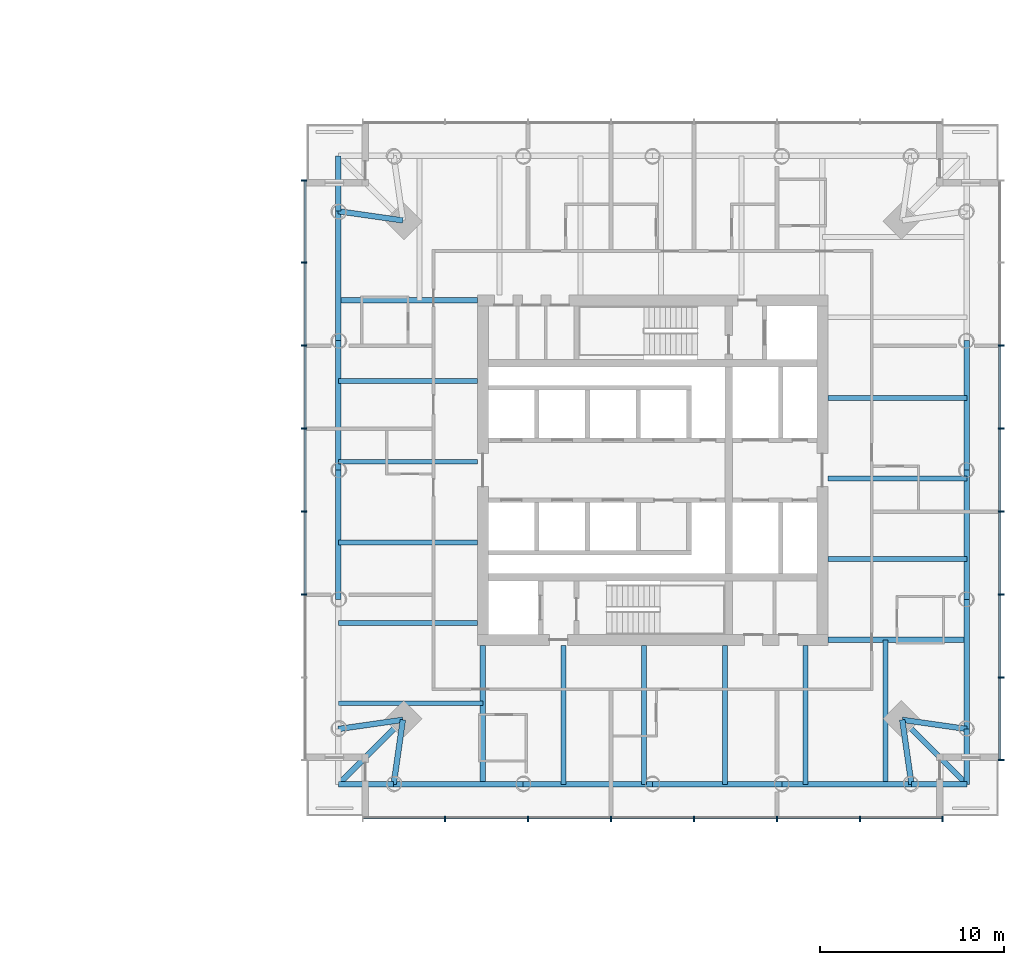
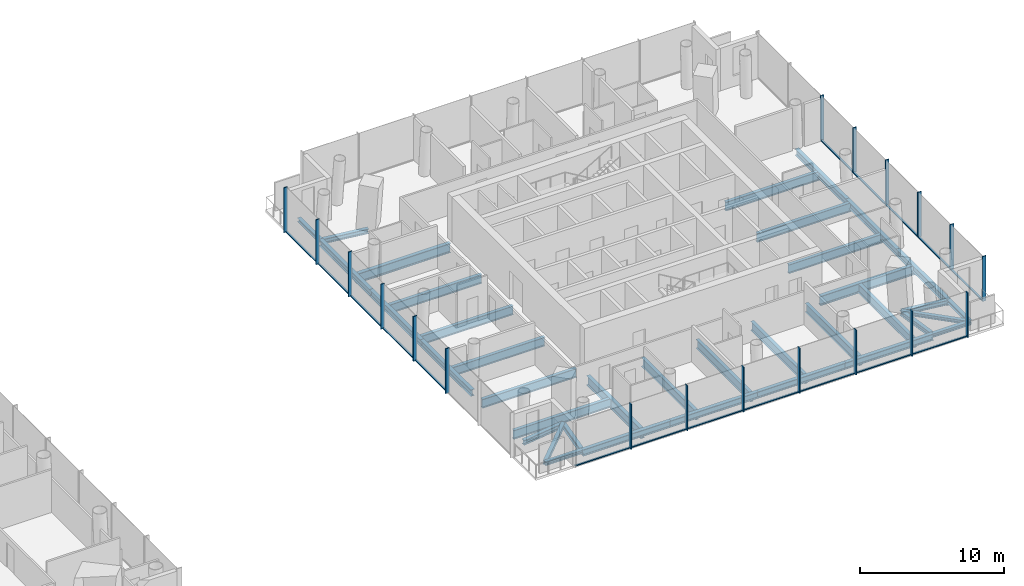
# One storey, part 5 of 26: 37 beams, 36 members, 3 elements without a shape of their own.
"""IFC4 building model written with IfcOpenShell, lengths in metres."""

from ifc_helpers import new_model, si_unit, direction, frame, origin, origin_2d, place, context, subcontext, project, spatial, rectangle, i_section, extrude, material, material_profile, profile_set, type_object, element, aggregate, save


model = new_model("IFC4")

# Units and contexts
model_context = context("Model", 3, precision=1e-05, world=origin(), true_north=direction((0.0, 1.0)))
body_context = subcontext(model_context, "Body", "Model", "MODEL_VIEW")
ifc_project = project(units=[si_unit("LENGTHUNIT", "METRE"), si_unit("AREAUNIT", "SQUARE_METRE"), si_unit("VOLUMEUNIT", "CUBIC_METRE"), si_unit("PLANEANGLEUNIT", "RADIAN"), si_unit("MASSUNIT", "GRAM", prefix="KILO")], contexts=[model_context])

# Site, building, storey
site_placement = place(None, origin())
site = spatial("IfcSite", under=ifc_project, at=site_placement, CompositionType="ELEMENT")
building_placement = place(site_placement, origin())
building = spatial("IfcBuilding", under=site, at=building_placement, Name="Ostroluk Exchange", CompositionType="ELEMENT")
storey_placement = place(building_placement, frame((0.0, 0.0, 66.60009765625)))
storey = spatial("IfcBuildingStorey", under=building, at=storey_placement, Name="L16", CompositionType="ELEMENT", Elevation=66.60009765625)

# Beams
ifc_material_1 = material(Name="Steel S355", Category="steel")
ifc_material_profile_1 = material_profile(ifc_material_1, i_section(OverallWidth=0.300048828125, OverallDepth=0.300048828125, WebThickness=0.010986328125, FlangeThickness=0.01904296875, FilletRadius=0.027099609375, at=origin_2d()), Name="HEB 300")
ifc_profile_set_1 = profile_set([ifc_material_profile_1], Name="Steel S355")
beam_type_1 = type_object("IfcBeamType", Name="Balcony beam HEB 300", PredefinedType="BEAM", material=ifc_profile_set_1)
for number, where, z_axis, x_axis, name in (
    (1, (99.965576171875, 60.034423828125, -0.35009765625), (0.0, 1.0, 0.0), (-1.0, 0.0, 0.0), "T2 north balcony beam b"),
    (2, (102.965576171875, 28.965576171875, -0.35009765625), (-1.0, 0.0, 0.0), (0.0, -1.0, 0.0), "T2 west balcony beam b"),
):
    element("IfcBeam", number, at=place(storey_placement, frame(where, z_axis=z_axis, x_axis=x_axis)), inside=storey, type_object=beam_type_1, Name=name, PredefinedType="BEAM", context=body_context, shape_type="SweptSolid", body=[
        extrude(i_section(OverallWidth=0.300048828125, OverallDepth=0.300048828125, WebThickness=0.010986328125, FlangeThickness=0.01904296875, FilletRadius=0.027099609375, at=origin_2d()), origin(), (0.0, 0.0, 1.0), 3.0),
    ])
beam_1_placement = place(storey_placement, frame((103.465576171875, 32.465576171875, -0.35009765625), z_axis=(-0.707106781187, -0.707106781187, 0.0), x_axis=(0.707106781187, -0.707106781187, 0.0)))
element("IfcBeam", 3, at=beam_1_placement, inside=storey, type_object=beam_type_1, Name="T2 west balcony beam c", PredefinedType="BEAM", context=body_context, shape_type="SweptSolid", body=[
    extrude(i_section(OverallWidth=0.300048828125, OverallDepth=0.300048828125, WebThickness=0.010986328125, FlangeThickness=0.01904296875, FilletRadius=0.027099609375, at=origin_2d()), origin(), (0.0, 0.0, 1.0), 4.94970703125),
])
for number, where, z_axis, x_axis, name in (
    (4, (131.034423828125, 28.965576171875, -0.35009765625), (1.0, 0.0, 0.0), (0.0, 1.0, 0.0), "T2 south balcony beam a"),
    (5, (134.034423828125, 31.965576171875, -0.35009765625), (0.0, -1.0, 0.0), (1.0, 0.0, 0.0), "T2 south balcony beam b"),
):
    element("IfcBeam", number, at=place(storey_placement, frame(where, z_axis=z_axis, x_axis=x_axis)), inside=storey, type_object=beam_type_1, Name=name, PredefinedType="BEAM", context=body_context, shape_type="SweptSolid", body=[
        extrude(i_section(OverallWidth=0.300048828125, OverallDepth=0.300048828125, WebThickness=0.010986328125, FlangeThickness=0.01904296875, FilletRadius=0.027099609375, at=origin_2d()), origin(), (0.0, 0.0, 1.0), 3.0),
    ])
beam_2_placement = place(storey_placement, frame((130.534423828125, 32.465576171875, -0.35009765625), z_axis=(0.707106781187, -0.707106781187, 0.0), x_axis=(0.707106781187, 0.707106781187, 0.0)))
element("IfcBeam", 6, at=beam_2_placement, inside=storey, type_object=beam_type_1, Name="T2 south balcony beam c", PredefinedType="BEAM", context=body_context, shape_type="SweptSolid", body=[
    extrude(i_section(OverallWidth=0.300048828125, OverallDepth=0.300048828125, WebThickness=0.010986328125, FlangeThickness=0.01904296875, FilletRadius=0.027099609375, at=origin_2d()), origin(), (0.0, 0.0, 1.0), 4.94970703125),
])
ifc_material_2 = material(Name="Steel S355", Category="steel")
ifc_material_profile_2 = material_profile(ifc_material_2, i_section(OverallWidth=0.300048828125, OverallDepth=0.39990234375, WebThickness=0.013427734375, FlangeThickness=0.02392578125, FilletRadius=0.027099609375, at=origin_2d()), Name="HEB 400")
ifc_profile_set_2 = profile_set([ifc_material_profile_2], Name="Steel S355")
beam_type_2 = type_object("IfcBeamType", Name="Corner edge beam HEB 400", PredefinedType="SPANDREL", material=ifc_profile_set_2)
for number, where, z_axis, x_axis, name in (
    (7, (103.465576171875, 59.534423828125, -0.400146484375), (-0.989949493661, 0.141421356237, 0.0), (-0.141421356237, -0.989949493661, 0.0), "T2 north corner edge beam b"),
    (8, (103.465576171875, 32.465576171875, -0.400146484375), (-0.989949493661, -0.141421356237, 0.0), (0.141421356237, -0.989949493661, 0.0), "T2 west corner edge beam a"),
    (9, (103.465576171875, 32.465576171875, -0.400146484375), (-0.141421356237, -0.989949493661, 0.0), (0.989949493661, -0.141421356237, 0.0), "T2 west corner edge beam b"),
    (10, (130.534423828125, 32.465576171875, -0.400146484375), (0.141421356237, -0.989949493661, 0.0), (0.989949493661, 0.141421356237, 0.0), "T2 south corner edge beam a"),
    (11, (130.534423828125, 32.465576171875, -0.400146484375), (0.989949493661, -0.141421356237, 0.0), (0.141421356237, 0.989949493661, 0.0), "T2 south corner edge beam b"),
):
    element("IfcBeam", number, at=place(storey_placement, frame(where, z_axis=z_axis, x_axis=x_axis)), inside=storey, type_object=beam_type_2, Name=name, PredefinedType="SPANDREL", context=body_context, shape_type="SweptSolid", body=[
        extrude(i_section(OverallWidth=0.300048828125, OverallDepth=0.39990234375, WebThickness=0.013427734375, FlangeThickness=0.02392578125, FilletRadius=0.027099609375, at=origin_2d()), origin(), (0.0, 0.0, 1.0), 3.53564453125),
    ])
ifc_material_3 = material(Name="Steel S355", Category="steel")
ifc_material_profile_3 = material_profile(ifc_material_3, i_section(OverallWidth=0.264892578125, OverallDepth=0.7529296875, WebThickness=0.01318359375, FlangeThickness=0.01708984375, FilletRadius=0.01708984375, at=origin_2d()), Name="IPE 750x147")
ifc_profile_set_3 = profile_set([ifc_material_profile_3], Name="Steel S355")
beam_type_3 = type_object("IfcBeamType", Name="Floor beam IPE 750x147", PredefinedType="BEAM", material=ifc_profile_set_3)
for number, where, z_axis, x_axis, name in (
    (12, (126.5, 41.17236328125, -0.57666015625), (1.0, 0.0, 0.0), (0.0, 1.0, 0.0), "T2 east floor beam 1"),
    (13, (126.5, 45.544921875, -0.57666015625), (1.0, 0.0, 0.0), (0.0, 1.0, 0.0), "T2 east floor beam 2"),
    (14, (126.5, 49.917236328125, -0.57666015625), (1.0, 0.0, 0.0), (0.0, 1.0, 0.0), "T2 east floor beam 3"),
    (15, (107.5, 50.82763671875, -0.57666015625), (-1.0, 0.0, 0.0), (0.0, -1.0, 0.0), "T2 west floor beam 1"),
    (16, (107.5, 46.455078125, -0.57666015625), (-1.0, 0.0, 0.0), (0.0, -1.0, 0.0), "T2 west floor beam 2"),
    (17, (107.5, 42.082763671875, -0.57666015625), (-1.0, 0.0, 0.0), (0.0, -1.0, 0.0), "T2 west floor beam 3"),
    (18, (107.5, 37.71044921875, -0.57666015625), (-1.0, 0.0, 0.0), (0.0, -1.0, 0.0), "T2 west floor beam 4"),
):
    element("IfcBeam", number, at=place(storey_placement, frame(where, z_axis=z_axis, x_axis=x_axis)), inside=storey, type_object=beam_type_3, Name=name, PredefinedType="BEAM", context=body_context, shape_type="SweptSolid", body=[
        extrude(i_section(OverallWidth=0.264892578125, OverallDepth=0.7529296875, WebThickness=0.01318359375, FlangeThickness=0.01708984375, FilletRadius=0.01708984375, at=origin_2d()), origin(), (0.0, 0.0, 1.0), 7.534423828125),
    ])
beam_3_placement = place(storey_placement, frame((107.800048828125, 33.365478515625, -0.57666015625), z_axis=(-1.0, 0.0, 0.0), x_axis=(0.0, -1.0, 0.0)))
element("IfcBeam", 19, at=beam_3_placement, inside=storey, type_object=beam_type_3, Name="T2 west floor beam 5", PredefinedType="BEAM", context=body_context, shape_type="SweptSolid", body=[
    extrude(i_section(OverallWidth=0.264892578125, OverallDepth=0.7529296875, WebThickness=0.01318359375, FlangeThickness=0.01708984375, FilletRadius=0.01708984375, at=origin_2d()), origin(), (0.0, 0.0, 1.0), 7.83447265625),
])
for number, where, z_axis, x_axis, name in (
    (20, (112.17236328125, 36.5, -0.57666015625), (0.0, -1.0, 0.0), (1.0, 0.0, 0.0), "T2 south floor beam 1"),
    (21, (116.544921875, 36.5, -0.57666015625), (0.0, -1.0, 0.0), (1.0, 0.0, 0.0), "T2 south floor beam 2"),
    (22, (120.917236328125, 36.5, -0.57666015625), (0.0, -1.0, 0.0), (1.0, 0.0, 0.0), "T2 south floor beam 3"),
    (23, (125.28955078125, 36.5, -0.57666015625), (0.0, -1.0, 0.0), (1.0, 0.0, 0.0), "T2 south floor beam 4"),
):
    element("IfcBeam", number, at=place(storey_placement, frame(where, z_axis=z_axis, x_axis=x_axis)), inside=storey, type_object=beam_type_3, Name=name, PredefinedType="BEAM", context=body_context, shape_type="SweptSolid", body=[
        extrude(i_section(OverallWidth=0.264892578125, OverallDepth=0.7529296875, WebThickness=0.01318359375, FlangeThickness=0.01708984375, FilletRadius=0.01708984375, at=origin_2d()), origin(), (0.0, 0.0, 1.0), 7.534423828125),
    ])
beam_4_placement = place(storey_placement, frame((129.634521484375, 36.800048828125, -0.57666015625), z_axis=(0.0, -1.0, 0.0), x_axis=(1.0, 0.0, 0.0)))
element("IfcBeam", 24, at=beam_4_placement, inside=storey, type_object=beam_type_3, Name="T2 south floor beam 5", PredefinedType="BEAM", context=body_context, shape_type="SweptSolid", body=[
    extrude(i_section(OverallWidth=0.264892578125, OverallDepth=0.7529296875, WebThickness=0.01318359375, FlangeThickness=0.01708984375, FilletRadius=0.01708984375, at=origin_2d()), origin(), (0.0, 0.0, 1.0), 7.83447265625),
])
ifc_material_4 = material(Name="Steel S355", Category="steel")
ifc_material_profile_4 = material_profile(ifc_material_4, i_section(OverallWidth=0.300048828125, OverallDepth=0.800048828125, WebThickness=0.017578125, FlangeThickness=0.032958984375, FilletRadius=0.030029296875, at=origin_2d()), Name="HEB 800")
ifc_profile_set_4 = profile_set([ifc_material_profile_4], Name="Steel S355")
beam_type_4 = type_object("IfcBeamType", Name="Girder HEB 800", PredefinedType="BEAM", material=ifc_profile_set_4)
for number, where, z_axis, x_axis, name in (
    (25, (107.5, 55.199951171875, -0.60009765625), (-1.0, 0.0, 0.0), (0.0, -1.0, 0.0), "T2 north girder"),
    (26, (107.800048828125, 36.5, -0.60009765625), (0.0, -1.0, 0.0), (1.0, 0.0, 0.0), "T2 west girder"),
    (27, (126.5, 36.800048828125, -0.60009765625), (1.0, 0.0, 0.0), (0.0, 1.0, 0.0), "T2 south girder"),
):
    element("IfcBeam", number, at=place(storey_placement, frame(where, z_axis=z_axis, x_axis=x_axis)), inside=storey, type_object=beam_type_4, Name=name, PredefinedType="BEAM", context=body_context, shape_type="SweptSolid", body=[
        extrude(i_section(OverallWidth=0.300048828125, OverallDepth=0.800048828125, WebThickness=0.017578125, FlangeThickness=0.032958984375, FilletRadius=0.030029296875, at=origin_2d()), origin(), (0.0, 0.0, 1.0), 7.534423828125),
    ])
ifc_material_5 = material(Name="Steel S355", Category="steel")
ifc_material_profile_5 = material_profile(ifc_material_5, i_section(OverallWidth=0.300048828125, OverallDepth=0.550048828125, WebThickness=0.014892578125, FlangeThickness=0.029052734375, FilletRadius=0.027099609375, at=origin_2d()), Name="HEB 550")
ifc_profile_set_5 = profile_set([ifc_material_profile_5], Name="Steel S355")
beam_type_5 = type_object("IfcBeamType", Name="Moment-connected edge beam HEB 550", PredefinedType="SPANDREL", material=ifc_profile_set_5)
beam_5_placement = place(storey_placement, frame((134.034423828125, 31.965576171875, -0.47509765625), z_axis=(0.0, 1.0, 0.0), x_axis=(-1.0, 0.0, 0.0)))
element("IfcBeam", 28, at=beam_5_placement, inside=storey, type_object=beam_type_5, Name="T2 east edge beam 1", PredefinedType="SPANDREL", context=body_context, shape_type="SweptSolid", body=[
    extrude(i_section(OverallWidth=0.300048828125, OverallDepth=0.550048828125, WebThickness=0.014892578125, FlangeThickness=0.029052734375, FilletRadius=0.027099609375, at=origin_2d()), origin(), (0.0, 0.0, 1.0), 7.01708984375),
])
for number, where, z_axis, x_axis, name in (
    (29, (134.034423828125, 38.982666015625, -0.47509765625), (0.0, 1.0, 0.0), (-1.0, 0.0, 0.0), "T2 east edge beam 2"),
    (30, (134.034423828125, 46.0, -0.47509765625), (0.0, 1.0, 0.0), (-1.0, 0.0, 0.0), "T2 east edge beam 3"),
):
    element("IfcBeam", number, at=place(storey_placement, frame(where, z_axis=z_axis, x_axis=x_axis)), inside=storey, type_object=beam_type_5, Name=name, PredefinedType="SPANDREL", context=body_context, shape_type="SweptSolid", body=[
        extrude(i_section(OverallWidth=0.300048828125, OverallDepth=0.550048828125, WebThickness=0.014892578125, FlangeThickness=0.029052734375, FilletRadius=0.027099609375, at=origin_2d()), origin(), (0.0, 0.0, 1.0), 7.017333984375),
    ])
beam_6_placement = place(storey_placement, frame((99.965576171875, 60.034423828125, -0.47509765625), z_axis=(0.0, -1.0, 0.0), x_axis=(1.0, 0.0, 0.0)))
element("IfcBeam", 31, at=beam_6_placement, inside=storey, type_object=beam_type_5, Name="T2 west edge beam 1", PredefinedType="SPANDREL", context=body_context, shape_type="SweptSolid", body=[
    extrude(i_section(OverallWidth=0.300048828125, OverallDepth=0.550048828125, WebThickness=0.014892578125, FlangeThickness=0.029052734375, FilletRadius=0.027099609375, at=origin_2d()), origin(), (0.0, 0.0, 1.0), 7.01708984375),
])
for number, where, z_axis, x_axis, name in (
    (32, (99.965576171875, 53.017333984375, -0.47509765625), (0.0, -1.0, 0.0), (1.0, 0.0, 0.0), "T2 west edge beam 2"),
    (33, (99.965576171875, 46.0, -0.47509765625), (0.0, -1.0, 0.0), (1.0, 0.0, 0.0), "T2 west edge beam 3"),
):
    element("IfcBeam", number, at=place(storey_placement, frame(where, z_axis=z_axis, x_axis=x_axis)), inside=storey, type_object=beam_type_5, Name=name, PredefinedType="SPANDREL", context=body_context, shape_type="SweptSolid", body=[
        extrude(i_section(OverallWidth=0.300048828125, OverallDepth=0.550048828125, WebThickness=0.014892578125, FlangeThickness=0.029052734375, FilletRadius=0.027099609375, at=origin_2d()), origin(), (0.0, 0.0, 1.0), 7.017333984375),
    ])
beam_7_placement = place(storey_placement, frame((102.965576171875, 28.965576171875, -0.47509765625), z_axis=(1.0, 0.0, 0.0), x_axis=(0.0, 1.0, 0.0)))
element("IfcBeam", 34, at=beam_7_placement, inside=storey, type_object=beam_type_5, Name="T2 south edge beam 1", PredefinedType="SPANDREL", context=body_context, shape_type="SweptSolid", body=[
    extrude(i_section(OverallWidth=0.300048828125, OverallDepth=0.550048828125, WebThickness=0.014892578125, FlangeThickness=0.029052734375, FilletRadius=0.027099609375, at=origin_2d()), origin(), (0.0, 0.0, 1.0), 7.01708984375),
])
for number, where, z_axis, x_axis, name in (
    (35, (109.982666015625, 28.965576171875, -0.47509765625), (1.0, 0.0, 0.0), (0.0, 1.0, 0.0), "T2 south edge beam 2"),
    (36, (117.0, 28.965576171875, -0.47509765625), (1.0, 0.0, 0.0), (0.0, 1.0, 0.0), "T2 south edge beam 3"),
):
    element("IfcBeam", number, at=place(storey_placement, frame(where, z_axis=z_axis, x_axis=x_axis)), inside=storey, type_object=beam_type_5, Name=name, PredefinedType="SPANDREL", context=body_context, shape_type="SweptSolid", body=[
        extrude(i_section(OverallWidth=0.300048828125, OverallDepth=0.550048828125, WebThickness=0.014892578125, FlangeThickness=0.029052734375, FilletRadius=0.027099609375, at=origin_2d()), origin(), (0.0, 0.0, 1.0), 7.017333984375),
    ])
beam_8_placement = place(storey_placement, frame((124.017333984375, 28.965576171875, -0.47509765625), z_axis=(1.0, 0.0, 0.0), x_axis=(0.0, 1.0, 0.0)))
element("IfcBeam", 37, at=beam_8_placement, inside=storey, type_object=beam_type_5, Name="T2 south edge beam 4", PredefinedType="SPANDREL", context=body_context, shape_type="SweptSolid", body=[
    extrude(i_section(OverallWidth=0.300048828125, OverallDepth=0.550048828125, WebThickness=0.014892578125, FlangeThickness=0.029052734375, FilletRadius=0.027099609375, at=origin_2d()), origin(), (0.0, 0.0, 1.0), 7.01708984375),
])

# Curtain wall, members
ifc_material_6 = material(Name="Laminated clear glass", Category="glass")
curtain_wall_type = type_object("IfcCurtainWallType", Name="Hotel guest floor facade", PredefinedType="USERDEFINED", material=ifc_material_6)
curtain_wall_1_placement = place(storey_placement, origin())
curtain_wall_1 = element("IfcCurtainWall", 38, at=curtain_wall_1_placement, inside=storey, type_object=curtain_wall_type, Name="Hotel tower south facade L16", ObjectType="UNITISED CURTAIN WALL", PredefinedType="USERDEFINED")
ifc_material_7 = material(Name="Aluminium mullion", Category="aluminium")
ifc_material_profile_6 = material_profile(ifc_material_7, rectangle(XDim=0.14990234375, YDim=0.080078125, at=origin_2d()), Name="Sill transom 80 x 150")
ifc_profile_set_6 = profile_set([ifc_material_profile_6], Name="Aluminium mullion")
member_type_1 = type_object("IfcMemberType", Name="Sill transom 80 x 150", PredefinedType="USERDEFINED", material=ifc_profile_set_6)
member_1_placement = place(storey_placement, frame((101.330078125, 27.175048828125, 0.039794921875), z_axis=(1.0, 0.0, 0.0), x_axis=(0.0, 1.0, 0.0)))
member_1 = element("IfcMember", 39, at=member_1_placement, type_object=member_type_1, Name="CW-H1 transom 1.1", ObjectType="TRANSOM", PredefinedType="USERDEFINED", context=body_context, shape_type="SweptSolid", body=[
    extrude(rectangle(XDim=0.14990234375, YDim=0.080078125, at=origin_2d()), origin(), (0.0, 0.0, 1.0), 4.3798828125),
])
member_2_placement = place(storey_placement, frame((105.7900390625, 27.175048828125, 0.039794921875), z_axis=(1.0, 0.0, 0.0), x_axis=(0.0, 1.0, 0.0)))
member_2 = element("IfcMember", 40, at=member_2_placement, type_object=member_type_1, Name="CW-H1 transom 2.1", ObjectType="TRANSOM", PredefinedType="USERDEFINED", context=body_context, shape_type="SweptSolid", body=[
    extrude(rectangle(XDim=0.14990234375, YDim=0.080078125, at=origin_2d()), origin(), (0.0, 0.0, 1.0), 4.419921875),
])
member_3_placement = place(storey_placement, frame((110.2900390625, 27.175048828125, 0.039794921875), z_axis=(1.0, 0.0, 0.0), x_axis=(0.0, 1.0, 0.0)))
member_3 = element("IfcMember", 41, at=member_3_placement, type_object=member_type_1, Name="CW-H1 transom 3.1", ObjectType="TRANSOM", PredefinedType="USERDEFINED", context=body_context, shape_type="SweptSolid", body=[
    extrude(rectangle(XDim=0.14990234375, YDim=0.080078125, at=origin_2d()), origin(), (0.0, 0.0, 1.0), 4.419921875),
])
member_4_placement = place(storey_placement, frame((114.7900390625, 27.175048828125, 0.039794921875), z_axis=(1.0, 0.0, 0.0), x_axis=(0.0, 1.0, 0.0)))
member_4 = element("IfcMember", 42, at=member_4_placement, type_object=member_type_1, Name="CW-H1 transom 4.1", ObjectType="TRANSOM", PredefinedType="USERDEFINED", context=body_context, shape_type="SweptSolid", body=[
    extrude(rectangle(XDim=0.14990234375, YDim=0.080078125, at=origin_2d()), origin(), (0.0, 0.0, 1.0), 4.419921875),
])
member_5_placement = place(storey_placement, frame((119.2900390625, 27.175048828125, 0.039794921875), z_axis=(1.0, 0.0, 0.0), x_axis=(0.0, 1.0, 0.0)))
member_5 = element("IfcMember", 43, at=member_5_placement, type_object=member_type_1, Name="CW-H1 transom 5.1", ObjectType="TRANSOM", PredefinedType="USERDEFINED", context=body_context, shape_type="SweptSolid", body=[
    extrude(rectangle(XDim=0.14990234375, YDim=0.080078125, at=origin_2d()), origin(), (0.0, 0.0, 1.0), 4.419921875),
])
member_6_placement = place(storey_placement, frame((123.7900390625, 27.175048828125, 0.039794921875), z_axis=(1.0, 0.0, 0.0), x_axis=(0.0, 1.0, 0.0)))
member_6 = element("IfcMember", 44, at=member_6_placement, type_object=member_type_1, Name="CW-H1 transom 6.1", ObjectType="TRANSOM", PredefinedType="USERDEFINED", context=body_context, shape_type="SweptSolid", body=[
    extrude(rectangle(XDim=0.14990234375, YDim=0.080078125, at=origin_2d()), origin(), (0.0, 0.0, 1.0), 4.419921875),
])
member_7_placement = place(storey_placement, frame((128.2900390625, 27.175048828125, 0.039794921875), z_axis=(1.0, 0.0, 0.0), x_axis=(0.0, 1.0, 0.0)))
member_7 = element("IfcMember", 45, at=member_7_placement, type_object=member_type_1, Name="CW-H1 transom 7.1", ObjectType="TRANSOM", PredefinedType="USERDEFINED", context=body_context, shape_type="SweptSolid", body=[
    extrude(rectangle(XDim=0.14990234375, YDim=0.080078125, at=origin_2d()), origin(), (0.0, 0.0, 1.0), 4.3798828125),
])

curtain_wall_2_placement = place(storey_placement, origin())
curtain_wall_2 = element("IfcCurtainWall", 46, at=curtain_wall_2_placement, inside=storey, type_object=curtain_wall_type, Name="Hotel tower east facade L16", ObjectType="UNITISED CURTAIN WALL", PredefinedType="USERDEFINED")
member_8_placement = place(storey_placement, frame((135.824951171875, 30.330078125, 0.039794921875), z_axis=(0.0, 1.0, 0.0), x_axis=(-1.0, 0.0, 0.0)))
member_8 = element("IfcMember", 47, at=member_8_placement, type_object=member_type_1, Name="CW-H1 transom 1.1", ObjectType="TRANSOM", PredefinedType="USERDEFINED", context=body_context, shape_type="SweptSolid", body=[
    extrude(rectangle(XDim=0.14990234375, YDim=0.080078125, at=origin_2d()), origin(), (0.0, 0.0, 1.0), 4.3798828125),
])
member_9_placement = place(storey_placement, frame((135.824951171875, 34.7900390625, 0.039794921875), z_axis=(0.0, 1.0, 0.0), x_axis=(-1.0, 0.0, 0.0)))
member_9 = element("IfcMember", 48, at=member_9_placement, type_object=member_type_1, Name="CW-H1 transom 2.1", ObjectType="TRANSOM", PredefinedType="USERDEFINED", context=body_context, shape_type="SweptSolid", body=[
    extrude(rectangle(XDim=0.14990234375, YDim=0.080078125, at=origin_2d()), origin(), (0.0, 0.0, 1.0), 4.419921875),
])
member_10_placement = place(storey_placement, frame((135.824951171875, 39.2900390625, 0.039794921875), z_axis=(0.0, 1.0, 0.0), x_axis=(-1.0, 0.0, 0.0)))
member_10 = element("IfcMember", 49, at=member_10_placement, type_object=member_type_1, Name="CW-H1 transom 3.1", ObjectType="TRANSOM", PredefinedType="USERDEFINED", context=body_context, shape_type="SweptSolid", body=[
    extrude(rectangle(XDim=0.14990234375, YDim=0.080078125, at=origin_2d()), origin(), (0.0, 0.0, 1.0), 4.419921875),
])
member_11_placement = place(storey_placement, frame((135.824951171875, 43.7900390625, 0.039794921875), z_axis=(0.0, 1.0, 0.0), x_axis=(-1.0, 0.0, 0.0)))
member_11 = element("IfcMember", 50, at=member_11_placement, type_object=member_type_1, Name="CW-H1 transom 4.1", ObjectType="TRANSOM", PredefinedType="USERDEFINED", context=body_context, shape_type="SweptSolid", body=[
    extrude(rectangle(XDim=0.14990234375, YDim=0.080078125, at=origin_2d()), origin(), (0.0, 0.0, 1.0), 4.419921875),
])
member_12_placement = place(storey_placement, frame((135.824951171875, 48.2900390625, 0.039794921875), z_axis=(0.0, 1.0, 0.0), x_axis=(-1.0, 0.0, 0.0)))
member_12 = element("IfcMember", 51, at=member_12_placement, type_object=member_type_1, Name="CW-H1 transom 5.1", ObjectType="TRANSOM", PredefinedType="USERDEFINED", context=body_context, shape_type="SweptSolid", body=[
    extrude(rectangle(XDim=0.14990234375, YDim=0.080078125, at=origin_2d()), origin(), (0.0, 0.0, 1.0), 4.419921875),
])

curtain_wall_3_placement = place(storey_placement, origin())
curtain_wall_3 = element("IfcCurtainWall", 52, at=curtain_wall_3_placement, inside=storey, type_object=curtain_wall_type, Name="Hotel tower west facade L16", ObjectType="UNITISED CURTAIN WALL", PredefinedType="USERDEFINED")
member_13_placement = place(storey_placement, frame((98.175048828125, 61.669921875, 0.039794921875), z_axis=(0.0, -1.0, 0.0), x_axis=(1.0, 0.0, 0.0)))
member_13 = element("IfcMember", 53, at=member_13_placement, type_object=member_type_1, Name="CW-H1 transom 1.1", ObjectType="TRANSOM", PredefinedType="USERDEFINED", context=body_context, shape_type="SweptSolid", body=[
    extrude(rectangle(XDim=0.14990234375, YDim=0.080078125, at=origin_2d()), origin(), (0.0, 0.0, 1.0), 4.3798828125),
])
member_14_placement = place(storey_placement, frame((98.175048828125, 57.2099609375, 0.039794921875), z_axis=(0.0, -1.0, 0.0), x_axis=(1.0, 0.0, 0.0)))
member_14 = element("IfcMember", 54, at=member_14_placement, type_object=member_type_1, Name="CW-H1 transom 2.1", ObjectType="TRANSOM", PredefinedType="USERDEFINED", context=body_context, shape_type="SweptSolid", body=[
    extrude(rectangle(XDim=0.14990234375, YDim=0.080078125, at=origin_2d()), origin(), (0.0, 0.0, 1.0), 4.419921875),
])
member_15_placement = place(storey_placement, frame((98.175048828125, 52.7099609375, 0.039794921875), z_axis=(0.0, -1.0, 0.0), x_axis=(1.0, 0.0, 0.0)))
member_15 = element("IfcMember", 55, at=member_15_placement, type_object=member_type_1, Name="CW-H1 transom 3.1", ObjectType="TRANSOM", PredefinedType="USERDEFINED", context=body_context, shape_type="SweptSolid", body=[
    extrude(rectangle(XDim=0.14990234375, YDim=0.080078125, at=origin_2d()), origin(), (0.0, 0.0, 1.0), 4.419921875),
])
member_16_placement = place(storey_placement, frame((98.175048828125, 48.2099609375, 0.039794921875), z_axis=(0.0, -1.0, 0.0), x_axis=(1.0, 0.0, 0.0)))
member_16 = element("IfcMember", 56, at=member_16_placement, type_object=member_type_1, Name="CW-H1 transom 4.1", ObjectType="TRANSOM", PredefinedType="USERDEFINED", context=body_context, shape_type="SweptSolid", body=[
    extrude(rectangle(XDim=0.14990234375, YDim=0.080078125, at=origin_2d()), origin(), (0.0, 0.0, 1.0), 4.419921875),
])
member_17_placement = place(storey_placement, frame((98.175048828125, 43.7099609375, 0.039794921875), z_axis=(0.0, -1.0, 0.0), x_axis=(1.0, 0.0, 0.0)))
member_17 = element("IfcMember", 57, at=member_17_placement, type_object=member_type_1, Name="CW-H1 transom 5.1", ObjectType="TRANSOM", PredefinedType="USERDEFINED", context=body_context, shape_type="SweptSolid", body=[
    extrude(rectangle(XDim=0.14990234375, YDim=0.080078125, at=origin_2d()), origin(), (0.0, 0.0, 1.0), 4.419921875),
])

# Member
ifc_material_8 = material(Name="Aluminium mullion with limestone facing", Category="masonry")
ifc_material_profile_7 = material_profile(ifc_material_8, rectangle(XDim=0.300048828125, YDim=0.080078125, at=origin_2d()), Name="Tracery mullion 80 x 300")
ifc_profile_set_7 = profile_set([ifc_material_profile_7], Name="Aluminium mullion with limestone facing")
member_type_2 = type_object("IfcMemberType", Name="Tracery mullion 80 x 300", PredefinedType="MULLION", material=ifc_profile_set_7)
member_18_placement = place(storey_placement, frame((105.75, 27.10009765625, 0.0), z_axis=(0.0, 0.0, 1.0), x_axis=(0.0, 1.0, 0.0)))
member_18 = element("IfcMember", 58, at=member_18_placement, type_object=member_type_2, Name="CW-H1 mullion 2", PredefinedType="MULLION", context=body_context, shape_type="SweptSolid", body=[
    extrude(rectangle(XDim=0.300048828125, YDim=0.080078125, at=origin_2d()), origin(), (0.0, 0.0, 1.0), 3.7998046875),
])

member_19_placement = place(storey_placement, frame((110.25, 27.10009765625, 0.0), z_axis=(0.0, 0.0, 1.0), x_axis=(0.0, 1.0, 0.0)))
member_19 = element("IfcMember", 59, at=member_19_placement, type_object=member_type_2, Name="CW-H1 mullion 3", PredefinedType="MULLION", context=body_context, shape_type="SweptSolid", body=[
    extrude(rectangle(XDim=0.300048828125, YDim=0.080078125, at=origin_2d()), origin(), (0.0, 0.0, 1.0), 3.7998046875),
])

member_20_placement = place(storey_placement, frame((114.75, 27.10009765625, 0.0), z_axis=(0.0, 0.0, 1.0), x_axis=(0.0, 1.0, 0.0)))
member_20 = element("IfcMember", 60, at=member_20_placement, type_object=member_type_2, Name="CW-H1 mullion 4", PredefinedType="MULLION", context=body_context, shape_type="SweptSolid", body=[
    extrude(rectangle(XDim=0.300048828125, YDim=0.080078125, at=origin_2d()), origin(), (0.0, 0.0, 1.0), 3.7998046875),
])

member_21_placement = place(storey_placement, frame((119.25, 27.10009765625, 0.0), z_axis=(0.0, 0.0, 1.0), x_axis=(0.0, 1.0, 0.0)))
member_21 = element("IfcMember", 61, at=member_21_placement, type_object=member_type_2, Name="CW-H1 mullion 5", PredefinedType="MULLION", context=body_context, shape_type="SweptSolid", body=[
    extrude(rectangle(XDim=0.300048828125, YDim=0.080078125, at=origin_2d()), origin(), (0.0, 0.0, 1.0), 3.7998046875),
])

member_22_placement = place(storey_placement, frame((123.75, 27.10009765625, 0.0), z_axis=(0.0, 0.0, 1.0), x_axis=(0.0, 1.0, 0.0)))
member_22 = element("IfcMember", 62, at=member_22_placement, type_object=member_type_2, Name="CW-H1 mullion 6", PredefinedType="MULLION", context=body_context, shape_type="SweptSolid", body=[
    extrude(rectangle(XDim=0.300048828125, YDim=0.080078125, at=origin_2d()), origin(), (0.0, 0.0, 1.0), 3.7998046875),
])

member_23_placement = place(storey_placement, frame((128.25, 27.10009765625, 0.0), z_axis=(0.0, 0.0, 1.0), x_axis=(0.0, 1.0, 0.0)))
member_23 = element("IfcMember", 63, at=member_23_placement, type_object=member_type_2, Name="CW-H1 mullion 7", PredefinedType="MULLION", context=body_context, shape_type="SweptSolid", body=[
    extrude(rectangle(XDim=0.300048828125, YDim=0.080078125, at=origin_2d()), origin(), (0.0, 0.0, 1.0), 3.7998046875),
])

member_24_placement = place(storey_placement, frame((132.7099609375, 27.10009765625, 0.0), z_axis=(0.0, 0.0, 1.0), x_axis=(0.0, 1.0, 0.0)))
member_24 = element("IfcMember", 64, at=member_24_placement, type_object=member_type_2, Name="CW-H1 mullion 8", PredefinedType="MULLION", context=body_context, shape_type="SweptSolid", body=[
    extrude(rectangle(XDim=0.300048828125, YDim=0.080078125, at=origin_2d()), origin(), (0.0, 0.0, 1.0), 3.7998046875),
])

aggregate(curtain_wall_1, [member_18, member_19, member_20, member_21, member_22, member_23, member_24, member_1, member_2, member_3, member_4, member_5, member_6, member_7])

member_25_placement = place(storey_placement, frame((135.89990234375, 30.2900390625, 0.0), z_axis=(0.0, 0.0, 1.0), x_axis=(-1.0, 0.0, 0.0)))
member_25 = element("IfcMember", 65, at=member_25_placement, type_object=member_type_2, Name="CW-H1 mullion 1", PredefinedType="MULLION", context=body_context, shape_type="SweptSolid", body=[
    extrude(rectangle(XDim=0.300048828125, YDim=0.080078125, at=origin_2d()), origin(), (0.0, 0.0, 1.0), 3.7998046875),
])

member_26_placement = place(storey_placement, frame((135.89990234375, 34.75, 0.0), z_axis=(0.0, 0.0, 1.0), x_axis=(-1.0, 0.0, 0.0)))
member_26 = element("IfcMember", 66, at=member_26_placement, type_object=member_type_2, Name="CW-H1 mullion 2", PredefinedType="MULLION", context=body_context, shape_type="SweptSolid", body=[
    extrude(rectangle(XDim=0.300048828125, YDim=0.080078125, at=origin_2d()), origin(), (0.0, 0.0, 1.0), 3.7998046875),
])

member_27_placement = place(storey_placement, frame((135.89990234375, 39.25, 0.0), z_axis=(0.0, 0.0, 1.0), x_axis=(-1.0, 0.0, 0.0)))
member_27 = element("IfcMember", 67, at=member_27_placement, type_object=member_type_2, Name="CW-H1 mullion 3", PredefinedType="MULLION", context=body_context, shape_type="SweptSolid", body=[
    extrude(rectangle(XDim=0.300048828125, YDim=0.080078125, at=origin_2d()), origin(), (0.0, 0.0, 1.0), 3.7998046875),
])

member_28_placement = place(storey_placement, frame((135.89990234375, 43.75, 0.0), z_axis=(0.0, 0.0, 1.0), x_axis=(-1.0, 0.0, 0.0)))
member_28 = element("IfcMember", 68, at=member_28_placement, type_object=member_type_2, Name="CW-H1 mullion 4", PredefinedType="MULLION", context=body_context, shape_type="SweptSolid", body=[
    extrude(rectangle(XDim=0.300048828125, YDim=0.080078125, at=origin_2d()), origin(), (0.0, 0.0, 1.0), 3.7998046875),
])

member_29_placement = place(storey_placement, frame((135.89990234375, 48.25, 0.0), z_axis=(0.0, 0.0, 1.0), x_axis=(-1.0, 0.0, 0.0)))
member_29 = element("IfcMember", 69, at=member_29_placement, type_object=member_type_2, Name="CW-H1 mullion 5", PredefinedType="MULLION", context=body_context, shape_type="SweptSolid", body=[
    extrude(rectangle(XDim=0.300048828125, YDim=0.080078125, at=origin_2d()), origin(), (0.0, 0.0, 1.0), 3.7998046875),
])

member_30_placement = place(storey_placement, frame((135.89990234375, 52.75, 0.0), z_axis=(0.0, 0.0, 1.0), x_axis=(-1.0, 0.0, 0.0)))
member_30 = element("IfcMember", 70, at=member_30_placement, type_object=member_type_2, Name="CW-H1 mullion 6", PredefinedType="MULLION", context=body_context, shape_type="SweptSolid", body=[
    extrude(rectangle(XDim=0.300048828125, YDim=0.080078125, at=origin_2d()), origin(), (0.0, 0.0, 1.0), 3.7998046875),
])

aggregate(curtain_wall_2, [member_25, member_26, member_27, member_28, member_29, member_30, member_8, member_9, member_10, member_11, member_12])

member_31_placement = place(storey_placement, frame((98.10009765625, 61.7099609375, 0.0), z_axis=(0.0, 0.0, 1.0), x_axis=(1.0, 0.0, 0.0)))
member_31 = element("IfcMember", 71, at=member_31_placement, type_object=member_type_2, Name="CW-H1 mullion 1", PredefinedType="MULLION", context=body_context, shape_type="SweptSolid", body=[
    extrude(rectangle(XDim=0.300048828125, YDim=0.080078125, at=origin_2d()), origin(), (0.0, 0.0, 1.0), 3.7998046875),
])

member_32_placement = place(storey_placement, frame((98.10009765625, 57.25, 0.0), z_axis=(0.0, 0.0, 1.0), x_axis=(1.0, 0.0, 0.0)))
member_32 = element("IfcMember", 72, at=member_32_placement, type_object=member_type_2, Name="CW-H1 mullion 2", PredefinedType="MULLION", context=body_context, shape_type="SweptSolid", body=[
    extrude(rectangle(XDim=0.300048828125, YDim=0.080078125, at=origin_2d()), origin(), (0.0, 0.0, 1.0), 3.7998046875),
])

member_33_placement = place(storey_placement, frame((98.10009765625, 52.75, 0.0), z_axis=(0.0, 0.0, 1.0), x_axis=(1.0, 0.0, 0.0)))
member_33 = element("IfcMember", 73, at=member_33_placement, type_object=member_type_2, Name="CW-H1 mullion 3", PredefinedType="MULLION", context=body_context, shape_type="SweptSolid", body=[
    extrude(rectangle(XDim=0.300048828125, YDim=0.080078125, at=origin_2d()), origin(), (0.0, 0.0, 1.0), 3.7998046875),
])

member_34_placement = place(storey_placement, frame((98.10009765625, 48.25, 0.0), z_axis=(0.0, 0.0, 1.0), x_axis=(1.0, 0.0, 0.0)))
member_34 = element("IfcMember", 74, at=member_34_placement, type_object=member_type_2, Name="CW-H1 mullion 4", PredefinedType="MULLION", context=body_context, shape_type="SweptSolid", body=[
    extrude(rectangle(XDim=0.300048828125, YDim=0.080078125, at=origin_2d()), origin(), (0.0, 0.0, 1.0), 3.7998046875),
])

member_35_placement = place(storey_placement, frame((98.10009765625, 43.75, 0.0), z_axis=(0.0, 0.0, 1.0), x_axis=(1.0, 0.0, 0.0)))
member_35 = element("IfcMember", 75, at=member_35_placement, type_object=member_type_2, Name="CW-H1 mullion 5", PredefinedType="MULLION", context=body_context, shape_type="SweptSolid", body=[
    extrude(rectangle(XDim=0.300048828125, YDim=0.080078125, at=origin_2d()), origin(), (0.0, 0.0, 1.0), 3.7998046875),
])

member_36_placement = place(storey_placement, frame((98.10009765625, 39.25, 0.0), z_axis=(0.0, 0.0, 1.0), x_axis=(1.0, 0.0, 0.0)))
member_36 = element("IfcMember", 76, at=member_36_placement, type_object=member_type_2, Name="CW-H1 mullion 6", PredefinedType="MULLION", context=body_context, shape_type="SweptSolid", body=[
    extrude(rectangle(XDim=0.300048828125, YDim=0.080078125, at=origin_2d()), origin(), (0.0, 0.0, 1.0), 3.7998046875),
])

aggregate(curtain_wall_3, [member_31, member_32, member_33, member_34, member_35, member_36, member_13, member_14, member_15, member_16, member_17])

save(model, "model.ifc")
